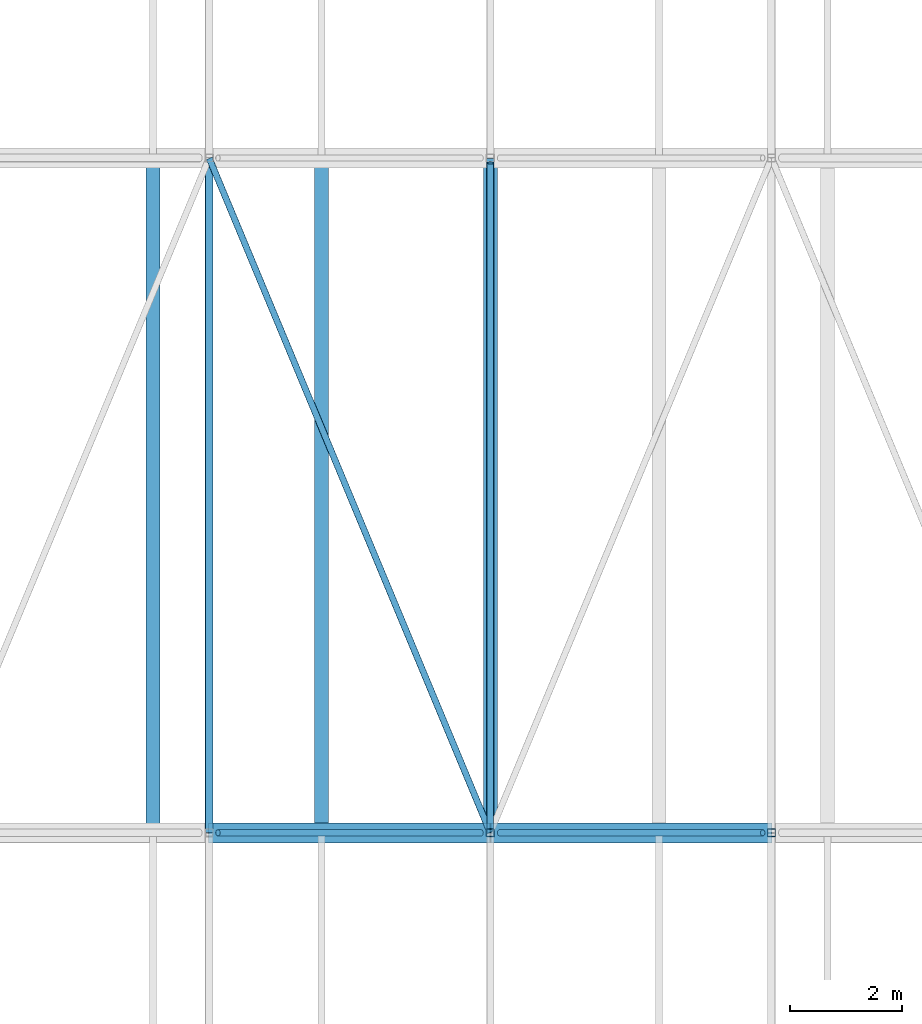
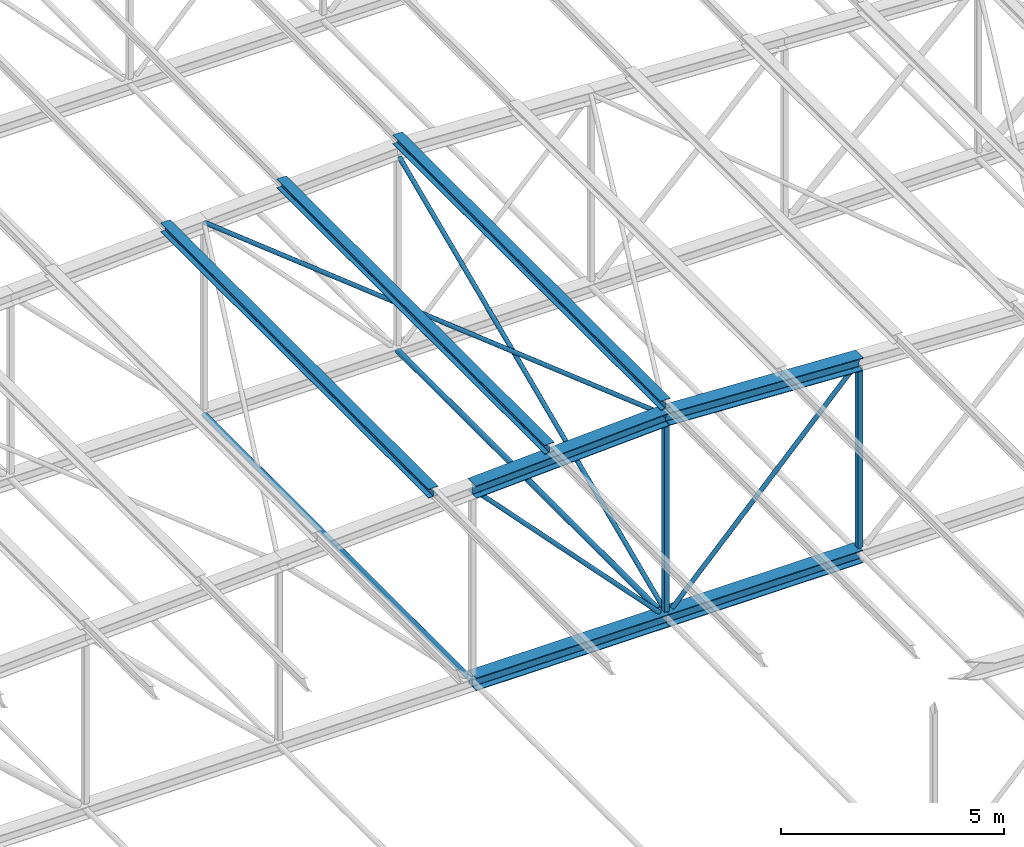
# One storey, part 99 of 156: 15 members.
"""IFC4 building model written with IfcOpenShell, lengths in metres."""

from ifc_helpers import new_model, si_unit, direction, frame, origin, origin_2d, place, context, subcontext, project, spatial, hollow_rectangle, hollow_circle, i_section, extrude, material, material_profile, profile_set, type_object, element, save


model = new_model("IFC4")

# Units and contexts
model_context = context("Model", 3, precision=1e-05, world=origin(), true_north=direction((0.0, 1.0)))
body_context = subcontext(model_context, "Body", "Model", "MODEL_VIEW")
ifc_project = project(units=[si_unit("LENGTHUNIT", "METRE"), si_unit("AREAUNIT", "SQUARE_METRE"), si_unit("VOLUMEUNIT", "CUBIC_METRE"), si_unit("PLANEANGLEUNIT", "RADIAN"), si_unit("MASSUNIT", "GRAM", prefix="KILO")], contexts=[model_context])

# Site, building, storey
site_placement = place(None, origin())
site = spatial("IfcSite", under=ifc_project, at=site_placement, CompositionType="ELEMENT")
building_placement = place(site_placement, origin())
building = spatial("IfcBuilding", under=site, at=building_placement, Name="Lilac Gate Convention Centre", CompositionType="ELEMENT")
storey_placement = place(building_placement, frame((0.0, 0.0, 17.0)))
storey = spatial("IfcBuildingStorey", under=building, at=storey_placement, Name="L03", CompositionType="ELEMENT", Elevation=17.0)

# Members
ifc_material = material(Name="Steel Q355B", Category="steel")
ifc_material_profile_1 = material_profile(ifc_material, hollow_circle(Radius=0.06982421875, WallThickness=0.0048828125, at=origin_2d()), Name="CHS139.7x5")
ifc_profile_set_1 = profile_set([ifc_material_profile_1], Name="Steel Q355B")
member_type_1 = type_object("IfcMemberType", Name="Bottom chord tie CHS139.7x5", PredefinedType="STRUT", material=ifc_profile_set_1)
for number, where, z_axis, x_axis, name in (
    (1, (55.0, 174.009521484375, 0.0), (0.0, 1.0, 0.0), (-1.0, 0.0, 0.0), "ST1 tie bay 13 node 6"),
    (2, (60.0, 174.009521484375, 0.0), (0.0, 1.0, 0.0), (-1.0, 0.0, 0.0), "ST1 tie bay 13 node 7"),
):
    element("IfcMember", number, at=place(storey_placement, frame(where, z_axis=z_axis, x_axis=x_axis)), inside=storey, type_object=member_type_1, Name=name, PredefinedType="STRUT", context=body_context, shape_type="SweptSolid", body=[
        extrude(hollow_circle(Radius=0.06982421875, WallThickness=0.0048828125, at=origin_2d()), origin(), (0.0, 0.0, 1.0), 11.98095703125),
    ])
ifc_material_profile_2 = material_profile(ifc_material, hollow_circle(Radius=0.05712890625, WallThickness=0.0048828125, at=origin_2d()), Name="CHS114.3x5")
ifc_profile_set_2 = profile_set([ifc_material_profile_2], Name="Steel Q355B")
member_type_2 = type_object("IfcMemberType", Name="Roof plane bracing CHS114.3x5", PredefinedType="BRACE", material=ifc_profile_set_2)
member_1_placement = place(storey_placement, frame((55.00244140625, 185.993896484375, 5.25), z_axis=(0.384557486582, -0.922900376645, 0.019246669905), x_axis=(0.923071361129, 0.384628733019, 0.0)))
element("IfcMember", 3, at=member_1_placement, inside=storey, type_object=member_type_2, Name="BR1 plan bracing bay 13 panel 6", PredefinedType="BRACE", context=body_context, shape_type="SweptSolid", body=[
    extrude(hollow_circle(Radius=0.05712890625, WallThickness=0.0048828125, at=origin_2d()), origin(), (0.0, 0.0, 1.0), 12.9892578125),
])
ifc_material_profile_3 = material_profile(ifc_material, i_section(OverallWidth=0.25, OverallDepth=0.25, WebThickness=0.009033203125, FlangeThickness=0.013916015625, FilletRadius=0.012939453125, at=origin_2d()), Name="HW250x250x9x14")
ifc_profile_set_3 = profile_set([ifc_material_profile_3], Name="Steel Q355B")
member_type_3 = type_object("IfcMemberType", Name="Roof purlin HW250x250x9x14", PredefinedType="PURLIN", material=ifc_profile_set_3)
for number, where, z_axis, x_axis, name in (
    (4, (54.0, 174.0, 5.500244140625), (0.0, 1.0, 0.0), (-1.0, 0.0, 0.0), "PU1 purlin bay 13 line 9"),
    (5, (57.0, 174.0, 5.650146484375), (0.0, 1.0, 0.0), (-1.0, 0.0, 0.0), "PU1 purlin bay 13 line 10"),
    (6, (60.0, 174.0, 5.80029296875), (0.0, 1.0, 0.0), (-1.0, 0.0, 0.0), "PU1 purlin bay 13 line 11"),
):
    element("IfcMember", number, at=place(storey_placement, frame(where, z_axis=z_axis, x_axis=x_axis)), inside=storey, type_object=member_type_3, Name=name, PredefinedType="PURLIN", context=body_context, shape_type="SweptSolid", body=[
        extrude(i_section(OverallWidth=0.25, OverallDepth=0.25, WebThickness=0.009033203125, FlangeThickness=0.013916015625, FilletRadius=0.012939453125, at=origin_2d()), origin(), (0.0, 0.0, 1.0), 12.0),
    ])
ifc_material_profile_4 = material_profile(ifc_material, i_section(OverallWidth=0.35693359375, OverallDepth=0.35009765625, WebThickness=0.01904296875, FlangeThickness=0.01904296875, FilletRadius=0.012939453125, at=origin_2d()), Name="HW350x357x19x19")
ifc_profile_set_4 = profile_set([ifc_material_profile_4], Name="Steel Q355B")
member_type_4 = type_object("IfcMemberType", Name="Truss bottom chord HW350x357x19x19", PredefinedType="CHORD", material=ifc_profile_set_4)
for number, where, z_axis, x_axis, name in (
    (7, (55.0, 174.0, 0.0), (1.0, 0.0, 0.0), (0.0, 1.0, 0.0), "TB3 truss 13 bottom chord 6"),
    (8, (60.0, 174.0, 0.0), (1.0, 0.0, 0.0), (0.0, 1.0, 0.0), "TB3 truss 13 bottom chord 7"),
):
    element("IfcMember", number, at=place(storey_placement, frame(where, z_axis=z_axis, x_axis=x_axis)), inside=storey, type_object=member_type_4, Name=name, PredefinedType="CHORD", context=body_context, shape_type="SweptSolid", body=[
        extrude(i_section(OverallWidth=0.35693359375, OverallDepth=0.35009765625, WebThickness=0.01904296875, FlangeThickness=0.01904296875, FilletRadius=0.012939453125, at=origin_2d()), origin(), (0.0, 0.0, 1.0), 5.0),
    ])
ifc_material_profile_5 = material_profile(ifc_material, hollow_circle(Radius=0.05712890625, WallThickness=0.0048828125, at=origin_2d()), Name="CHS114.3x5")
ifc_profile_set_5 = profile_set([ifc_material_profile_5], Name="Steel Q355B")
member_type_5 = type_object("IfcMemberType", Name="Truss diagonal CHS114.3x5", PredefinedType="BRACE", material=ifc_profile_set_5)
for number, where, z_axis, x_axis, name in (
    (9, (55.156494140625, 174.0, 5.085693359375), (0.6896515765, 0.0, -0.724141355697), (0.0, 1.0, 0.0), "TW6 truss 13 diagonal 6"),
    (10, (64.843505859375, 174.0, 5.085693359375), (-0.6896515765, 0.0, -0.724141355697), (0.0, -1.0, 0.0), "TW6 truss 13 diagonal 7"),
):
    element("IfcMember", number, at=place(storey_placement, frame(where, z_axis=z_axis, x_axis=x_axis)), inside=storey, type_object=member_type_5, Name=name, PredefinedType="BRACE", context=body_context, shape_type="SweptSolid", body=[
        extrude(hollow_circle(Radius=0.05712890625, WallThickness=0.0048828125, at=origin_2d()), origin(), (0.0, 0.0, 1.0), 6.78125),
    ])
ifc_material_profile_6 = material_profile(ifc_material, i_section(OverallWidth=0.35693359375, OverallDepth=0.35009765625, WebThickness=0.01904296875, FlangeThickness=0.01904296875, FilletRadius=0.012939453125, at=origin_2d()), Name="HW350x357x19x19")
ifc_profile_set_6 = profile_set([ifc_material_profile_6], Name="Steel Q355B")
member_type_6 = type_object("IfcMemberType", Name="Truss top chord HW350x357x19x19", PredefinedType="CHORD", material=ifc_profile_set_6)
for number, where, z_axis, x_axis, name in (
    (11, (55.0, 174.0, 5.25), (0.998752338878, 0.0, 0.049937616944), (0.0, 1.0, 0.0), "TT3 truss 13 top chord 6"),
    (12, (60.0, 174.0, 5.5), (0.998752338878, 0.0, -0.049937616944), (0.0, 1.0, 0.0), "TT3 truss 13 top chord 7"),
):
    element("IfcMember", number, at=place(storey_placement, frame(where, z_axis=z_axis, x_axis=x_axis)), inside=storey, type_object=member_type_6, Name=name, PredefinedType="CHORD", context=body_context, shape_type="SweptSolid", body=[
        extrude(i_section(OverallWidth=0.35693359375, OverallDepth=0.35009765625, WebThickness=0.01904296875, FlangeThickness=0.01904296875, FilletRadius=0.012939453125, at=origin_2d()), origin(), (0.0, 0.0, 1.0), 5.00634765625),
    ])
ifc_material_profile_7 = material_profile(ifc_material, hollow_rectangle(XDim=0.139892578125, YDim=0.139892578125, WallThickness=0.0048828125, InnerFilletRadius=0.0048828125, OuterFilletRadius=0.010009765625, at=origin_2d()), Name="SHS140x140x5")
ifc_profile_set_7 = profile_set([ifc_material_profile_7], Name="Steel Q355B")
member_type_7 = type_object("IfcMemberType", Name="Truss vertical SHS140x140x5", PredefinedType="STRUT", material=ifc_profile_set_7)
member_2_placement = place(storey_placement, frame((60.0, 174.0, 0.175048828125), z_axis=(0.0, 0.0, 1.0), x_axis=(1.0, 0.0, 0.0)))
element("IfcMember", 13, at=member_2_placement, inside=storey, type_object=member_type_7, Name="TV4 truss 13 vertical 7", PredefinedType="STRUT", context=body_context, shape_type="SweptSolid", body=[
    extrude(hollow_rectangle(XDim=0.139892578125, YDim=0.139892578125, WallThickness=0.0048828125, InnerFilletRadius=0.0048828125, OuterFilletRadius=0.010009765625, at=origin_2d()), origin(), (0.0, 0.0, 1.0), 5.149658203125),
])
member_3_placement = place(storey_placement, frame((65.0, 174.0, 0.175048828125), z_axis=(0.0, 0.0, 1.0), x_axis=(1.0, 0.0, 0.0)))
element("IfcMember", 14, at=member_3_placement, inside=storey, type_object=member_type_7, Name="TV4 truss 13 vertical 8", PredefinedType="STRUT", context=body_context, shape_type="SweptSolid", body=[
    extrude(hollow_rectangle(XDim=0.139892578125, YDim=0.139892578125, WallThickness=0.0048828125, InnerFilletRadius=0.0048828125, OuterFilletRadius=0.010009765625, at=origin_2d()), origin(), (0.0, 0.0, 1.0), 4.899658203125),
])
ifc_material_profile_8 = material_profile(ifc_material, hollow_circle(Radius=0.05712890625, WallThickness=0.006103515625, at=origin_2d()), Name="CHS114.3x6")
ifc_profile_set_8 = profile_set([ifc_material_profile_8], Name="Steel Q355B")
member_type_8 = type_object("IfcMemberType", Name="Vertical bracing CHS114.3x6", PredefinedType="BRACE", material=ifc_profile_set_8)
member_4_placement = place(storey_placement, frame((60.0, 174.08740234375, 0.175048828125), z_axis=(0.0, 0.916835469497, 0.399265227477), x_axis=(-1.0, 0.0, 0.0)))
element("IfcMember", 15, at=member_4_placement, inside=storey, type_object=member_type_8, Name="BR2 vertical bracing bay 13 line 2", PredefinedType="BRACE", context=body_context, shape_type="SweptSolid", body=[
    extrude(hollow_circle(Radius=0.05712890625, WallThickness=0.006103515625, at=origin_2d()), origin(), (0.0, 0.0, 1.0), 12.89794921875),
])

save(model, "model.ifc")
